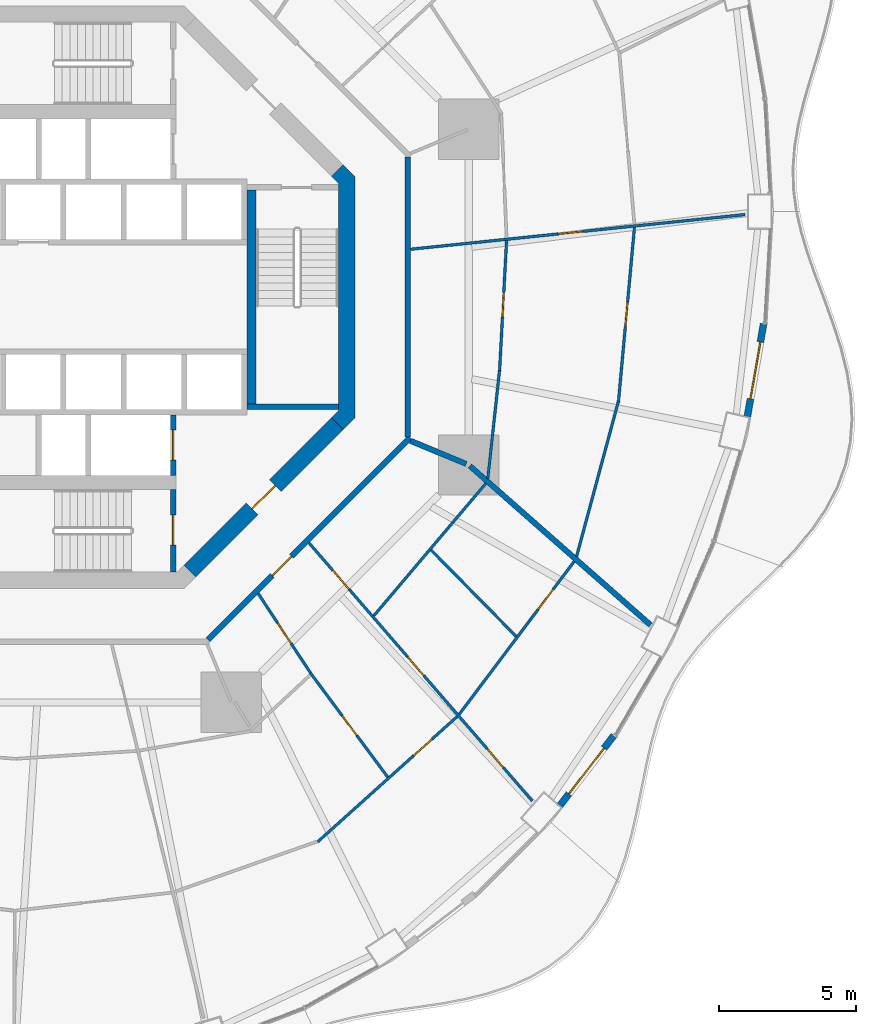
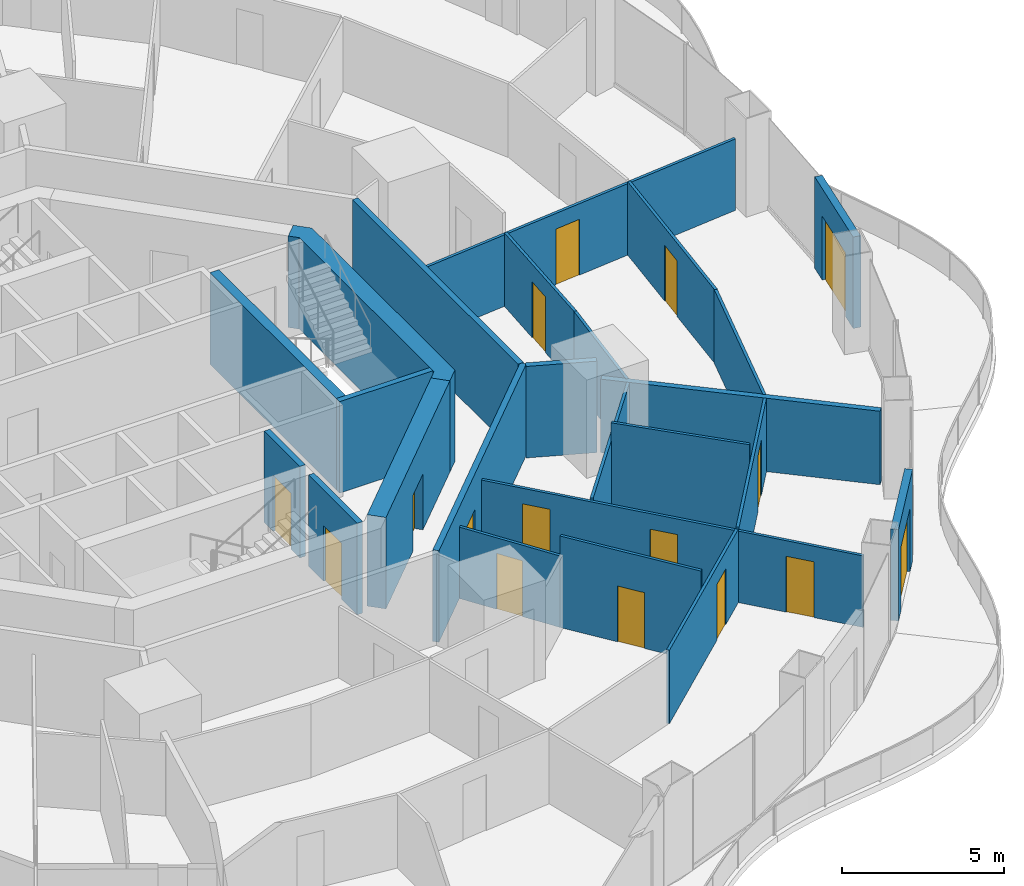
# One storey, part 17 of 24: 24 walls, 16 doors, 16 openings.
"""IFC4 building model written with IfcOpenShell, lengths in metres."""

from ifc_helpers import new_model, si_unit, direction, frame, frame_2d, origin, place, context, subcontext, project, spatial, polyline, rectangle, outline, extrude, material, layer, layer_set, type_object, element, fill, save


model = new_model("IFC4")

# Units and contexts
model_context = context("Model", 3, precision=1e-05, world=origin(), true_north=direction((0.0, 1.0)))
body_context = subcontext(model_context, "Body", "Model", "MODEL_VIEW")
ifc_project = project(units=[si_unit("LENGTHUNIT", "METRE"), si_unit("AREAUNIT", "SQUARE_METRE"), si_unit("VOLUMEUNIT", "CUBIC_METRE"), si_unit("PLANEANGLEUNIT", "RADIAN"), si_unit("MASSUNIT", "GRAM", prefix="KILO")], contexts=[model_context])

# Site, building, storey
site_placement = place(None, origin())
site = spatial("IfcSite", under=ifc_project, at=site_placement, CompositionType="ELEMENT")
building_placement = place(site_placement, origin())
building = spatial("IfcBuilding", under=site, at=building_placement, Name="Nagisa Residences", CompositionType="ELEMENT")
storey_placement = place(building_placement, frame((0.0, 0.0, 102.89990234375)))
storey = spatial("IfcBuildingStorey", under=building, at=storey_placement, Name="L25", CompositionType="ELEMENT", Elevation=102.89990234375)

# Walls
ifc_material_1 = material(Name="Gypsum board on steel studs", Category="steel")
ifc_layer_1 = layer(ifc_material_1, 0.199951171875)
ifc_layer_set_1 = layer_set([ifc_layer_1], Name="Apartment compartment wall EI60 200")
wall_type_1 = type_object("IfcWallType", Name="Apartment compartment wall EI60 200", PredefinedType="PARTITIONING", material=ifc_layer_set_1)
wall_1_placement = place(storey_placement, frame((12.6572265625, -5.24267578125, 0.0), z_axis=(0.0, 0.0, 1.0), x_axis=(0.923876145736, -0.382691608661, 0.0)))
element("IfcWall", 1, at=wall_1_placement, inside=storey, type_object=wall_type_1, Name="wall:L25:u08", PredefinedType="PARTITIONING", context=body_context, shape_type="SweptSolid", body=[
    extrude(rectangle(XDim=2.19970703125, YDim=0.199951171875, at=frame_2d((1.099853515625, 0.0))), origin(), (0.0, 0.0, 1.0), 3.440185546875),
])
wall_2_placement = place(storey_placement, frame((14.819580078125, -6.156005859375, 0.0), z_axis=(0.0, 0.0, 1.0), x_axis=(0.750582231659, -0.660777052808, 0.0)))
element("IfcWall", 2, at=wall_2_placement, inside=storey, type_object=wall_type_1, Name="wall:L25:u09", PredefinedType="PARTITIONING", context=body_context, shape_type="SweptSolid", body=[
    extrude(rectangle(XDim=8.781005859375, YDim=0.199951171875, at=frame_2d((4.390625, 0.0))), origin(), (0.0, 0.0, 1.0), 2.76220703125),
])
ifc_material_2 = material(Name="Gypsum board on steel studs", Category="steel")
ifc_layer_2 = layer(ifc_material_2, 0.199951171875)
ifc_layer_set_2 = layer_set([ifc_layer_2], Name="Apartment entry wall EI60 200")
wall_type_2 = type_object("IfcWallType", Name="Apartment entry wall EI60 200", PredefinedType="PARTITIONING", material=ifc_layer_set_2)
wall_3_placement = place(storey_placement, frame((12.564697265625, -5.1044921875, 0.0), z_axis=(0.0, 0.0, 1.0), x_axis=(0.0, 1.0, 0.0)))
element("IfcWall", 3, at=wall_3_placement, inside=storey, type_object=wall_type_2, Name="wall:L25:u10", PredefinedType="PARTITIONING", context=body_context, shape_type="SweptSolid", body=[
    extrude(rectangle(XDim=10.208984375, YDim=0.199951171875, at=frame_2d((5.1044921875, 0.0))), origin(), (0.0, 0.0, 1.0), 3.440185546875),
])

# Wall, opening, door
wall_4_placement = place(storey_placement, frame((5.275146484375, -12.494140625, 0.0), z_axis=(0.0, 0.0, 1.0), x_axis=(0.707106781187, 0.707106781187, 0.0)))
wall_4 = element("IfcWall", 4, at=wall_4_placement, inside=storey, type_object=wall_type_2, Name="wall:L25:u17", PredefinedType="PARTITIONING", context=body_context, shape_type="SweptSolid", body=[
    extrude(rectangle(XDim=10.4091796875, YDim=0.199951171875, at=frame_2d((5.20458984375, 0.0))), origin(), (0.0, 0.0, 1.0), 3.440185546875),
])
opening_1_placement = place(wall_4_placement, frame((3.303466796875, 0.0, 0.0)))
opening_1 = element("IfcOpeningElement", 5, at=opening_1_placement, cuts=wall_4, Name="Opening L25-U15", PredefinedType="OPENING", context=body_context, shape_type="SweptSolid", body=[
    extrude(rectangle(XDim=1.0, YDim=2.10009765625, at=frame_2d((0.5, 1.050048828125))), frame((0.0, 0.10986328125, 0.0), z_axis=(0.0, -1.0, 0.0), x_axis=(1.0, 0.0, 0.0)), (0.0, 0.0, 1.0), 0.219970703125),
])
ifc_material_3 = material(Name="Timber fire door set", Category="wood")
door_type_1 = type_object("IfcDoorType", Name="Apartment entry door FD30S 1000x2100", OperationType="NOTDEFINED", PredefinedType="DOOR", material=ifc_material_3)
door_1_placement = place(opening_1_placement, frame((1.0, 0.0, 0.0), x_axis=(-1.0, 0.0, 0.0)))
door_1 = element("IfcDoor", 6, at=door_1_placement, inside=storey, type_object=door_type_1, Name="Entry door, Apartment 25B", OperationType="SINGLE_SWING_RIGHT", OverallHeight=2.10009765625, OverallWidth=1.0, PredefinedType="DOOR", context=body_context, shape_type="SweptSolid", body=[
    extrude(rectangle(XDim=1.0, YDim=2.10009765625, at=frame_2d((0.5, 1.050048828125))), frame((0.0, 0.02490234375, 0.0), z_axis=(0.0, -1.0, 0.0), x_axis=(1.0, 0.0, 0.0)), (0.0, 0.0, 1.0), 0.050048828125),
])
fill(opening_1, door_1)

ifc_material_4 = material(Name="Gypsum board on steel studs", Category="steel")
ifc_layer_3 = layer(ifc_material_4, 0.10009765625)
ifc_layer_set_3 = layer_set([ifc_layer_3], Name="Apartment partition 100")
wall_type_3 = type_object("IfcWallType", Name="Apartment partition 100", PredefinedType="PARTITIONING", material=ifc_layer_set_3)
wall_5_placement = place(storey_placement, frame((12.664306640625, 1.7451171875, 0.0), z_axis=(0.0, 0.0, 1.0), x_axis=(0.994662790212, 0.103179134358, 0.0)))
wall_5 = element("IfcWall", 7, at=wall_5_placement, inside=storey, type_object=wall_type_3, Name="wall:L25:u18", PredefinedType="PARTITIONING", context=body_context, shape_type="SweptSolid", body=[
    extrude(rectangle(XDim=12.2568359375, YDim=0.10009765625, at=frame_2d((6.12841796875, 0.0))), origin(), (0.0, 0.0, 1.0), 2.68701171875),
])
opening_2_placement = place(wall_5_placement, frame((5.413818359375, 0.0, 0.0)))
opening_2 = element("IfcOpeningElement", 8, at=opening_2_placement, cuts=wall_5, Name="Opening L25-U37", PredefinedType="OPENING", context=body_context, shape_type="SweptSolid", body=[
    extrude(rectangle(XDim=0.89990234375, YDim=2.10009765625, at=frame_2d((0.449951171875, 1.050048828125))), frame((0.0, 0.06005859375, 0.0), z_axis=(0.0, -1.0, 0.0), x_axis=(1.0, 0.0, 0.0)), (0.0, 0.0, 1.0), 0.1201171875),
])
ifc_material_5 = material(Name="Timber door set", Category="wood")
door_type_2 = type_object("IfcDoorType", Name="Apartment door 900x2100", OperationType="NOTDEFINED", PredefinedType="DOOR", material=ifc_material_5)
door_2_placement = place(opening_2_placement, frame((0.89990234375, 0.0, 0.0), x_axis=(-1.0, 0.0, 0.0)))
door_2 = element("IfcDoor", 9, at=door_2_placement, inside=storey, type_object=door_type_2, Name="Door to kitchen, Apartment 25C", OperationType="SINGLE_SWING_RIGHT", OverallHeight=2.10009765625, OverallWidth=0.89990234375, PredefinedType="DOOR", context=body_context, shape_type="SweptSolid", body=[
    extrude(rectangle(XDim=0.89990234375, YDim=2.10009765625, at=frame_2d((0.449951171875, 1.050048828125))), frame((0.0, 0.02490234375, 0.0), z_axis=(0.0, -1.0, 0.0), x_axis=(1.0, 0.0, 0.0)), (0.0, 0.0, 1.0), 0.050048828125),
])
fill(opening_2, door_2)

wall_6_placement = place(storey_placement, frame((16.1611328125, 2.058349609375, 0.0), z_axis=(0.0, 0.0, 1.0), x_axis=(-0.053696394729, -0.998557307916, 0.0)))
wall_6 = element("IfcWall", 10, at=wall_6_placement, inside=storey, type_object=wall_type_3, Name="wall:L25:u20", PredefinedType="PARTITIONING", context=body_context, shape_type="SweptSolid", body=[
    extrude(rectangle(XDim=4.7421875, YDim=0.10009765625, at=frame_2d((2.37109375, 0.0))), origin(), (0.0, 0.0, 1.0), 2.76220703125),
])
opening_3_placement = place(wall_6_placement, frame((1.89599609375, 0.0, 0.0)))
opening_3 = element("IfcOpeningElement", 11, at=opening_3_placement, cuts=wall_6, Name="Opening L25-U40", PredefinedType="OPENING", context=body_context, shape_type="SweptSolid", body=[
    extrude(rectangle(XDim=0.89990234375, YDim=2.10009765625, at=frame_2d((0.449951171875, 1.050048828125))), frame((0.0, 0.06005859375, 0.0), z_axis=(0.0, -1.0, 0.0), x_axis=(1.0, 0.0, 0.0)), (0.0, 0.0, 1.0), 0.1201171875),
])
door_3_placement = place(opening_3_placement, frame((0.89990234375, 0.0, 0.0), x_axis=(-1.0, 0.0, 0.0)))
door_3 = element("IfcDoor", 12, at=door_3_placement, inside=storey, type_object=door_type_2, Name="Door to laundry, Apartment 25C", OperationType="SINGLE_SWING_LEFT", OverallHeight=2.10009765625, OverallWidth=0.89990234375, PredefinedType="DOOR", context=body_context, shape_type="SweptSolid", body=[
    extrude(rectangle(XDim=0.89990234375, YDim=2.10009765625, at=frame_2d((0.449951171875, 1.050048828125))), frame((0.0, 0.02490234375, 0.0), z_axis=(0.0, -1.0, 0.0), x_axis=(1.0, 0.0, 0.0)), (0.0, 0.0, 1.0), 0.050048828125),
])
fill(opening_3, door_3)

wall_7_placement = place(storey_placement, frame((20.824951171875, 2.54248046875, 0.0), z_axis=(0.0, 0.0, 1.0), x_axis=(-0.09140211812, -0.995814065377, 0.0)))
wall_7 = element("IfcWall", 13, at=wall_7_placement, inside=storey, type_object=wall_type_3, Name="wall:L25:u22", PredefinedType="PARTITIONING", context=body_context, shape_type="SweptSolid", body=[
    extrude(rectangle(XDim=6.402587890625, YDim=0.10009765625, at=frame_2d((3.201171875, 0.0))), origin(), (0.0, 0.0, 1.0), 2.76220703125),
])
opening_4_placement = place(wall_7_placement, frame((2.726318359375, 0.0, 0.0)))
opening_4 = element("IfcOpeningElement", 14, at=opening_4_placement, cuts=wall_7, Name="Opening L25-U39", PredefinedType="OPENING", context=body_context, shape_type="SweptSolid", body=[
    extrude(rectangle(XDim=0.89990234375, YDim=2.10009765625, at=frame_2d((0.449951171875, 1.050048828125))), frame((0.0, 0.06005859375, 0.0), z_axis=(0.0, -1.0, 0.0), x_axis=(1.0, 0.0, 0.0)), (0.0, 0.0, 1.0), 0.1201171875),
])
door_4_placement = place(opening_4_placement, origin())
door_4 = element("IfcDoor", 15, at=door_4_placement, inside=storey, type_object=door_type_2, Name="Door to living room, Apartment 25C", OperationType="SINGLE_SWING_LEFT", OverallHeight=2.10009765625, OverallWidth=0.89990234375, PredefinedType="DOOR", context=body_context, shape_type="SweptSolid", body=[
    extrude(rectangle(XDim=0.89990234375, YDim=2.10009765625, at=frame_2d((0.449951171875, 1.050048828125))), frame((0.0, 0.02490234375, 0.0), z_axis=(0.0, -1.0, 0.0), x_axis=(1.0, 0.0, 0.0)), (0.0, 0.0, 1.0), 0.050048828125),
])
fill(opening_4, door_4)

wall_8_placement = place(storey_placement, frame((9.2724609375, -19.86767578125, 0.0), z_axis=(0.0, 0.0, 1.0), x_axis=(0.743884413566, 0.668308296562, 0.0)))
wall_8 = element("IfcWall", 16, at=wall_8_placement, inside=storey, type_object=wall_type_3, Name="wall:L25:u82", PredefinedType="PARTITIONING", context=body_context, shape_type="SweptSolid", body=[
    extrude(rectangle(XDim=6.84521484375, YDim=0.10009765625, at=frame_2d((3.422607421875, 0.0))), origin(), (0.0, 0.0, 1.0), 2.76220703125),
])
opening_5_placement = place(wall_8_placement, frame((4.708984375, 0.0, 0.0)))
opening_5 = element("IfcOpeningElement", 17, at=opening_5_placement, cuts=wall_8, Name="Opening L25-U20", PredefinedType="OPENING", context=body_context, shape_type="SweptSolid", body=[
    extrude(rectangle(XDim=0.89990234375, YDim=2.10009765625, at=frame_2d((0.449951171875, 1.050048828125))), frame((0.0, 0.06005859375, 0.0), z_axis=(0.0, -1.0, 0.0), x_axis=(1.0, 0.0, 0.0)), (0.0, 0.0, 1.0), 0.1201171875),
])
door_5_placement = place(opening_5_placement, frame((0.89990234375, 0.0, 0.0), x_axis=(-1.0, 0.0, 0.0)))
door_5 = element("IfcDoor", 18, at=door_5_placement, inside=storey, type_object=door_type_2, Name="Door to living room, Apartment 25B", OperationType="SINGLE_SWING_LEFT", OverallHeight=2.10009765625, OverallWidth=0.89990234375, PredefinedType="DOOR", context=body_context, shape_type="SweptSolid", body=[
    extrude(rectangle(XDim=0.89990234375, YDim=2.10009765625, at=frame_2d((0.449951171875, 1.050048828125))), frame((0.0, 0.02490234375, 0.0), z_axis=(0.0, -1.0, 0.0), x_axis=(1.0, 0.0, 0.0)), (0.0, 0.0, 1.0), 0.050048828125),
])
fill(opening_5, door_5)

wall_9_placement = place(storey_placement, frame((7.099609375, -10.80810546875, 0.0), z_axis=(0.0, 0.0, 1.0), x_axis=(0.550294419528, -0.834970689208, 0.0)))
wall_9 = element("IfcWall", 19, at=wall_9_placement, inside=storey, type_object=wall_type_3, Name="wall:L25:u83", PredefinedType="PARTITIONING", context=body_context, shape_type="SweptSolid", body=[
    extrude(rectangle(XDim=3.4716796875, YDim=0.10009765625, at=frame_2d((1.73583984375, 0.0))), origin(), (0.0, 0.0, 1.0), 2.68701171875),
])
opening_6_placement = place(wall_9_placement, frame((1.285888671875, 0.0, 0.0)))
opening_6 = element("IfcOpeningElement", 20, at=opening_6_placement, cuts=wall_9, Name="Opening L25-U16", PredefinedType="OPENING", context=body_context, shape_type="SweptSolid", body=[
    extrude(rectangle(XDim=0.89990234375, YDim=2.10009765625, at=frame_2d((0.449951171875, 1.050048828125))), frame((0.0, 0.06005859375, 0.0), z_axis=(0.0, -1.0, 0.0), x_axis=(1.0, 0.0, 0.0)), (0.0, 0.0, 1.0), 0.1201171875),
])
door_6_placement = place(opening_6_placement, frame((0.89990234375, 0.0, 0.0), x_axis=(-1.0, 0.0, 0.0)))
door_6 = element("IfcDoor", 21, at=door_6_placement, inside=storey, type_object=door_type_2, Name="Door to family bathroom, Apartment 25B", OperationType="SINGLE_SWING_LEFT", OverallHeight=2.10009765625, OverallWidth=0.89990234375, PredefinedType="DOOR", context=body_context, shape_type="SweptSolid", body=[
    extrude(rectangle(XDim=0.89990234375, YDim=2.10009765625, at=frame_2d((0.449951171875, 1.050048828125))), frame((0.0, 0.02490234375, 0.0), z_axis=(0.0, -1.0, 0.0), x_axis=(1.0, 0.0, 0.0)), (0.0, 0.0, 1.0), 0.050048828125),
])
fill(opening_6, door_6)

wall_10_placement = place(storey_placement, frame((9.0078125, -13.70849609375, 0.0), z_axis=(0.0, 0.0, 1.0), x_axis=(0.595845850207, -0.803098825047, 0.0)))
wall_10 = element("IfcWall", 22, at=wall_10_placement, inside=storey, type_object=wall_type_3, Name="wall:L25:u84", PredefinedType="PARTITIONING", context=body_context, shape_type="SweptSolid", body=[
    extrude(rectangle(XDim=4.7294921875, YDim=0.10009765625, at=frame_2d((2.36474609375, 0.0))), origin(), (0.0, 0.0, 1.0), 3.440185546875),
])
opening_7_placement = place(wall_10_placement, frame((1.939697265625, 0.0, 0.0)))
opening_7 = element("IfcOpeningElement", 23, at=opening_7_placement, cuts=wall_10, Name="Opening L25-U18", PredefinedType="OPENING", context=body_context, shape_type="SweptSolid", body=[
    extrude(rectangle(XDim=0.89990234375, YDim=2.10009765625, at=frame_2d((0.449951171875, 1.050048828125))), frame((0.0, 0.06005859375, 0.0), z_axis=(0.0, -1.0, 0.0), x_axis=(1.0, 0.0, 0.0)), (0.0, 0.0, 1.0), 0.1201171875),
])
door_7_placement = place(opening_7_placement, frame((0.89990234375, 0.0, 0.0), x_axis=(-1.0, 0.0, 0.0)))
door_7 = element("IfcDoor", 24, at=door_7_placement, inside=storey, type_object=door_type_2, Name="Door to kitchen, Apartment 25B", OperationType="SINGLE_SWING_LEFT", OverallHeight=2.10009765625, OverallWidth=0.89990234375, PredefinedType="DOOR", context=body_context, shape_type="SweptSolid", body=[
    extrude(rectangle(XDim=0.89990234375, YDim=2.10009765625, at=frame_2d((0.449951171875, 1.050048828125))), frame((0.0, 0.02490234375, 0.0), z_axis=(0.0, -1.0, 0.0), x_axis=(1.0, 0.0, 0.0)), (0.0, 0.0, 1.0), 0.050048828125),
])
fill(opening_7, door_7)

# Wall, openings, doors
wall_11_placement = place(storey_placement, frame((8.949951171875, -8.960205078125, 0.0), z_axis=(0.0, 0.0, 1.0), x_axis=(0.65441081073, -0.756139200676, 0.0)))
wall_11 = element("IfcWall", 25, at=wall_11_placement, inside=storey, type_object=wall_type_3, Name="wall:L25:u85", PredefinedType="PARTITIONING", context=body_context, shape_type="SweptSolid", body=[
    extrude(rectangle(XDim=12.450927734375, YDim=0.10009765625, at=frame_2d((6.2255859375, 0.0))), origin(), (0.0, 0.0, 1.0), 2.68701171875),
])
opening_8_placement = place(wall_11_placement, frame((1.335693359375, 0.0, 0.0)))
opening_8 = element("IfcOpeningElement", 26, at=opening_8_placement, cuts=wall_11, Name="Opening L25-U17", PredefinedType="OPENING", context=body_context, shape_type="SweptSolid", body=[
    extrude(rectangle(XDim=0.89990234375, YDim=2.10009765625, at=frame_2d((0.449951171875, 1.050048828125))), frame((0.0, 0.06005859375, 0.0), z_axis=(0.0, -1.0, 0.0), x_axis=(1.0, 0.0, 0.0)), (0.0, 0.0, 1.0), 0.1201171875),
])
opening_9_placement = place(wall_11_placement, frame((5.501220703125, 0.0, 0.0)))
opening_9 = element("IfcOpeningElement", 27, at=opening_9_placement, cuts=wall_11, Name="Opening L25-U19", PredefinedType="OPENING", context=body_context, shape_type="SweptSolid", body=[
    extrude(rectangle(XDim=0.89990234375, YDim=2.10009765625, at=frame_2d((0.449951171875, 1.050048828125))), frame((0.0, 0.06005859375, 0.0), z_axis=(0.0, -1.0, 0.0), x_axis=(1.0, 0.0, 0.0)), (0.0, 0.0, 1.0), 0.1201171875),
])
opening_10_placement = place(wall_11_placement, frame((9.940673828125, 0.0, 0.0)))
opening_10 = element("IfcOpeningElement", 28, at=opening_10_placement, cuts=wall_11, Name="Opening L25-U21", PredefinedType="OPENING", context=body_context, shape_type="SweptSolid", body=[
    extrude(rectangle(XDim=0.89990234375, YDim=2.10009765625, at=frame_2d((0.449951171875, 1.050048828125))), frame((0.0, 0.06005859375, 0.0), z_axis=(0.0, -1.0, 0.0), x_axis=(1.0, 0.0, 0.0)), (0.0, 0.0, 1.0), 0.1201171875),
])
door_8_placement = place(opening_8_placement, origin())
door_8 = element("IfcDoor", 29, at=door_8_placement, inside=storey, type_object=door_type_2, Name="Door to family bathroom, Apartment 25B", OperationType="SINGLE_SWING_LEFT", OverallHeight=2.10009765625, OverallWidth=0.89990234375, PredefinedType="DOOR", context=body_context, shape_type="SweptSolid", body=[
    extrude(rectangle(XDim=0.89990234375, YDim=2.10009765625, at=frame_2d((0.449951171875, 1.050048828125))), frame((0.0, 0.02490234375, 0.0), z_axis=(0.0, -1.0, 0.0), x_axis=(1.0, 0.0, 0.0)), (0.0, 0.0, 1.0), 0.050048828125),
])
fill(opening_8, door_8)
door_9_placement = place(opening_9_placement, origin())
door_9 = element("IfcDoor", 30, at=door_9_placement, inside=storey, type_object=door_type_2, Name="Door to family bathroom, Apartment 25B", OperationType="SINGLE_SWING_LEFT", OverallHeight=2.10009765625, OverallWidth=0.89990234375, PredefinedType="DOOR", context=body_context, shape_type="SweptSolid", body=[
    extrude(rectangle(XDim=0.89990234375, YDim=2.10009765625, at=frame_2d((0.449951171875, 1.050048828125))), frame((0.0, 0.02490234375, 0.0), z_axis=(0.0, -1.0, 0.0), x_axis=(1.0, 0.0, 0.0)), (0.0, 0.0, 1.0), 0.050048828125),
])
fill(opening_9, door_9)
door_10_placement = place(opening_10_placement, origin())
door_10 = element("IfcDoor", 31, at=door_10_placement, inside=storey, type_object=door_type_2, Name="Door to bedroom, Apartment 25B", OperationType="SINGLE_SWING_LEFT", OverallHeight=2.10009765625, OverallWidth=0.89990234375, PredefinedType="DOOR", context=body_context, shape_type="SweptSolid", body=[
    extrude(rectangle(XDim=0.89990234375, YDim=2.10009765625, at=frame_2d((0.449951171875, 1.050048828125))), frame((0.0, 0.02490234375, 0.0), z_axis=(0.0, -1.0, 0.0), x_axis=(1.0, 0.0, 0.0)), (0.0, 0.0, 1.0), 0.050048828125),
])
fill(opening_10, door_10)

# Wall
wall_12_placement = place(storey_placement, frame((11.319580078125, -11.62255859375, 0.0), z_axis=(0.0, 0.0, 1.0), x_axis=(0.646106810963, 0.763247003811, 0.0)))
element("IfcWall", 32, at=wall_12_placement, inside=storey, type_object=wall_type_3, Name="wall:L25:u86", PredefinedType="PARTITIONING", context=body_context, shape_type="SweptSolid", body=[
    extrude(rectangle(XDim=6.317138671875, YDim=0.10009765625, at=frame_2d((3.15869140625, 0.0))), origin(), (0.0, 0.0, 1.0), 2.76220703125),
])

# Wall, opening, door
wall_13_placement = place(storey_placement, frame((14.431884765625, -15.219482421875, 0.0), z_axis=(0.0, 0.0, 1.0), x_axis=(0.601001256685, 0.799248077548, 0.0)))
wall_13 = element("IfcWall", 33, at=wall_13_placement, inside=storey, type_object=wall_type_3, Name="wall:L25:u87", PredefinedType="PARTITIONING", context=body_context, shape_type="SweptSolid", body=[
    extrude(rectangle(XDim=6.980224609375, YDim=0.10009765625, at=frame_2d((3.490234375, 0.0))), origin(), (0.0, 0.0, 1.0), 2.76220703125),
])
opening_11_placement = place(wall_13_placement, frame((4.797607421875, 0.0, 0.0)))
opening_11 = element("IfcOpeningElement", 34, at=opening_11_placement, cuts=wall_13, Name="Opening L25-U24", PredefinedType="OPENING", context=body_context, shape_type="SweptSolid", body=[
    extrude(rectangle(XDim=0.89990234375, YDim=2.10009765625, at=frame_2d((0.449951171875, 1.050048828125))), frame((0.0, 0.06005859375, 0.0), z_axis=(0.0, -1.0, 0.0), x_axis=(1.0, 0.0, 0.0)), (0.0, 0.0, 1.0), 0.1201171875),
])
door_11_placement = place(opening_11_placement, origin())
door_11 = element("IfcDoor", 35, at=door_11_placement, inside=storey, type_object=door_type_2, Name="Door to en-suite bathroom, Apartment 25B", OperationType="SINGLE_SWING_RIGHT", OverallHeight=2.10009765625, OverallWidth=0.89990234375, PredefinedType="DOOR", context=body_context, shape_type="SweptSolid", body=[
    extrude(rectangle(XDim=0.89990234375, YDim=2.10009765625, at=frame_2d((0.449951171875, 1.050048828125))), frame((0.0, 0.02490234375, 0.0), z_axis=(0.0, -1.0, 0.0), x_axis=(1.0, 0.0, 0.0)), (0.0, 0.0, 1.0), 0.050048828125),
])
fill(opening_11, door_11)

# Walls
wall_14_placement = place(storey_placement, frame((13.41162109375, -9.228515625, 0.0), z_axis=(0.0, 0.0, 1.0), x_axis=(0.701611164285, -0.712560014421, 0.0)))
element("IfcWall", 36, at=wall_14_placement, inside=storey, type_object=wall_type_3, Name="wall:L25:u88", PredefinedType="PARTITIONING", context=body_context, shape_type="SweptSolid", body=[
    extrude(rectangle(XDim=4.4150390625, YDim=0.10009765625, at=frame_2d((2.20751953125, 0.0))), origin(), (0.0, 0.0, 1.0), 3.440185546875),
])
wall_15_placement = place(storey_placement, frame((15.4765625, -6.62548828125, 0.0), z_axis=(0.0, 0.0, 1.0), x_axis=(0.107570517496, 0.994197457131, 0.0)))
element("IfcWall", 37, at=wall_15_placement, inside=storey, type_object=wall_type_3, Name="wall:L25:u89", PredefinedType="PARTITIONING", context=body_context, shape_type="SweptSolid", body=[
    extrude(rectangle(XDim=3.9716796875, YDim=0.10009765625, at=frame_2d((1.98583984375, 0.0))), origin(), (0.0, 0.0, 1.0), 2.76220703125),
])
wall_16_placement = place(storey_placement, frame((18.713134765625, -9.464111328125, 0.0), z_axis=(0.0, 0.0, 1.0), x_axis=(0.260279646259, 0.965533275316, 0.0)))
element("IfcWall", 38, at=wall_16_placement, inside=storey, type_object=wall_type_3, Name="wall:L25:u90", PredefinedType="PARTITIONING", context=body_context, shape_type="SweptSolid", body=[
    extrude(rectangle(XDim=5.83349609375, YDim=0.10009765625, at=frame_2d((2.916748046875, 0.0))), origin(), (0.0, 0.0, 1.0), 2.76220703125),
])

# Wall, opening, door
ifc_material_6 = material(Name="Precast concrete C40/50", Category="concrete")
ifc_layer_4 = layer(ifc_material_6, 0.25)
ifc_layer_set_4 = layer_set([ifc_layer_4], Name="BALCONY DOOR WALL 250")
wall_type_4 = type_object("IfcWallType", Name="BALCONY DOOR WALL 250", PredefinedType="SOLIDWALL", material=ifc_layer_set_4)
wall_17_placement = place(storey_placement, frame((20.072998046875, -15.9912109375, 0.0), z_axis=(0.0, 0.0, 1.0), x_axis=(-0.610458970322, -0.792047880847, 0.0)))
wall_17 = element("IfcWall", 39, at=wall_17_placement, inside=storey, type_object=wall_type_4, Name="wall:L25:bay42", PredefinedType="SOLIDWALL", context=body_context, shape_type="SweptSolid", body=[
    extrude(rectangle(XDim=3.262939453125, YDim=0.25, at=frame_2d((1.63134765625, 0.0))), origin(), (0.0, 0.0, 1.0), 3.440185546875),
])
opening_12_placement = place(wall_17_placement, frame((0.58154296875, 0.0, 0.0)))
opening_12 = element("IfcOpeningElement", 40, at=opening_12_placement, cuts=wall_17, Name="Opening BD-L25-15", PredefinedType="OPENING", context=body_context, shape_type="SweptSolid", body=[
    extrude(rectangle(XDim=2.10009765625, YDim=2.39990234375, at=frame_2d((1.050048828125, 1.199951171875))), frame((0.0, 0.135009765625, 0.0), z_axis=(0.0, -1.0, 0.0), x_axis=(1.0, 0.0, 0.0)), (0.0, 0.0, 1.0), 0.27001953125),
])
ifc_material_7 = material(Name="Aluminium and clear glass", Category="aluminium")
door_type_3 = type_object("IfcDoorType", Name="BALCONY SLIDING DOOR 2100x2400", OperationType="SLIDING_TO_LEFT", PredefinedType="DOOR", material=ifc_material_7)
door_12_placement = place(opening_12_placement, origin())
door_12 = element("IfcDoor", 41, at=door_12_placement, inside=storey, type_object=door_type_3, Name="door:L25:bay42", OperationType="SLIDING_TO_LEFT", OverallHeight=2.39990234375, OverallWidth=2.10009765625, PredefinedType="DOOR", context=body_context, shape_type="SweptSolid", body=[
    extrude(rectangle(XDim=2.10009765625, YDim=2.39990234375, at=frame_2d((1.050048828125, 1.199951171875))), frame((0.0, 0.02490234375, 0.0), z_axis=(0.0, -1.0, 0.0), x_axis=(1.0, 0.0, 0.0)), (0.0, 0.0, 1.0), 0.050048828125),
])
fill(opening_12, door_12)

wall_18_placement = place(storey_placement, frame((25.534912109375, -0.974365234375, 0.0), z_axis=(0.0, 0.0, 1.0), x_axis=(-0.172164316671, -0.985068245385, 0.0)))
wall_18 = element("IfcWall", 42, at=wall_18_placement, inside=storey, type_object=wall_type_4, Name="wall:L25:bay46", PredefinedType="SOLIDWALL", context=body_context, shape_type="SweptSolid", body=[
    extrude(rectangle(XDim=3.454345703125, YDim=0.25, at=frame_2d((1.72705078125, 0.0))), origin(), (0.0, 0.0, 1.0), 3.440185546875),
])
opening_13_placement = place(wall_18_placement, frame((0.67724609375, 0.0, 0.0)))
opening_13 = element("IfcOpeningElement", 43, at=opening_13_placement, cuts=wall_18, Name="Opening BD-L25-16", PredefinedType="OPENING", context=body_context, shape_type="SweptSolid", body=[
    extrude(rectangle(XDim=2.10009765625, YDim=2.39990234375, at=frame_2d((1.050048828125, 1.199951171875))), frame((0.0, 0.135009765625, 0.0), z_axis=(0.0, -1.0, 0.0), x_axis=(1.0, 0.0, 0.0)), (0.0, 0.0, 1.0), 0.27001953125),
])
door_13_placement = place(opening_13_placement, origin())
door_13 = element("IfcDoor", 44, at=door_13_placement, inside=storey, type_object=door_type_3, Name="door:L25:bay46", OperationType="SLIDING_TO_LEFT", OverallHeight=2.39990234375, OverallWidth=2.10009765625, PredefinedType="DOOR", context=body_context, shape_type="SweptSolid", body=[
    extrude(rectangle(XDim=2.10009765625, YDim=2.39990234375, at=frame_2d((1.050048828125, 1.199951171875))), frame((0.0, 0.02490234375, 0.0), z_axis=(0.0, -1.0, 0.0), x_axis=(1.0, 0.0, 0.0)), (0.0, 0.0, 1.0), 0.050048828125),
])
fill(opening_13, door_13)

ifc_material_8 = material(Name="Concrete C60", Category="concrete")
ifc_layer_5 = layer(ifc_material_8, 0.60009765625)
ifc_layer_set_5 = layer_set([ifc_layer_5], Name="Core shear wall 600")
wall_type_5 = type_object("IfcWallType", Name="Core shear wall 600", PredefinedType="SHEAR", material=ifc_layer_set_5)
wall_19_placement = place(storey_placement, frame((4.613037109375, -9.98828125, 0.0), z_axis=(0.0, 0.0, 1.0), x_axis=(0.707106781187, 0.707106781187, 0.0)))
wall_19 = element("IfcWall", 45, at=wall_19_placement, inside=storey, type_object=wall_type_5, Name="wall:L25:core:flat7", PredefinedType="SHEAR", context=body_context, shape_type="SweptSolid", body=[
    extrude(rectangle(XDim=7.601806640625, YDim=0.60009765625, at=frame_2d((3.80078125, 0.0))), origin(), (0.0, 0.0, 1.0), 3.440185546875),
])
opening_14_placement = place(wall_19_placement, frame((3.200927734375, 0.0, 0.0)))
opening_14 = element("IfcOpeningElement", 46, at=opening_14_placement, cuts=wall_19, Name="Opening L25-C18", PredefinedType="OPENING", context=body_context, shape_type="SweptSolid", body=[
    extrude(rectangle(XDim=1.199951171875, YDim=2.10009765625, at=frame_2d((0.60009765625, 1.050048828125))), frame((0.0, 0.31005859375, 0.0), z_axis=(0.0, -1.0, 0.0), x_axis=(1.0, 0.0, 0.0)), (0.0, 0.0, 1.0), 0.6201171875),
])
ifc_material_9 = material(Name="Steel fire door", Category="steel")
door_type_4 = type_object("IfcDoorType", Name="Fire door EI60 1200x2100 single swing", OperationType="NOTDEFINED", PredefinedType="DOOR", material=ifc_material_9)
door_14_placement = place(opening_14_placement, origin())
door_14 = element("IfcDoor", 47, at=door_14_placement, inside=storey, type_object=door_type_4, Name="Firefighting lobby 2 door L25", OperationType="SINGLE_SWING_LEFT", OverallHeight=2.10009765625, OverallWidth=1.199951171875, PredefinedType="DOOR", context=body_context, shape_type="SweptSolid", body=[
    extrude(rectangle(XDim=1.199951171875, YDim=2.10009765625, at=frame_2d((0.60009765625, 1.050048828125))), frame((0.0, 0.02490234375, 0.0), z_axis=(0.0, -1.0, 0.0), x_axis=(1.0, 0.0, 0.0)), (0.0, 0.0, 1.0), 0.050048828125),
])
fill(opening_14, door_14)

# Wall
wall_20_placement = place(storey_placement, origin())
element("IfcWall", 48, at=wall_20_placement, inside=storey, type_object=wall_type_5, Name="wall:L25:core:flat0", PredefinedType="SHEAR", context=body_context, shape_type="SweptSolid", body=[
    extrude(outline(polyline([(9.776123046875, -4.40087890625), (10.024658203125, -4.15234375), (10.024658203125, -3.801025390625), (10.024658203125, 4.15234375), (9.776123046875, 4.40087890625), (10.200439453125, 4.8251953125), (10.62451171875, 4.40087890625), (10.62451171875, -4.40087890625), (10.200439453125, -4.8251953125), (9.776123046875, -4.40087890625)])), origin(), (0.0, 0.0, 1.0), 3.440185546875),
])

# Wall, opening, door
ifc_material_10 = material(Name="Concrete C60", Category="concrete")
ifc_layer_6 = layer(ifc_material_10, 0.199951171875)
ifc_layer_set_6 = layer_set([ifc_layer_6], Name="Lift shaft wall 200")
wall_type_6 = type_object("IfcWallType", Name="Lift shaft wall 200", PredefinedType="SOLIDWALL", material=ifc_layer_set_6)
wall_21_placement = place(storey_placement, frame((4.0, -6.5, 0.0), z_axis=(0.0, 0.0, 1.0), x_axis=(0.0, 1.0, 0.0)))
wall_21 = element("IfcWall", 49, at=wall_21_placement, inside=storey, type_object=wall_type_6, Name="wall:L25:Sb3", PredefinedType="SOLIDWALL", context=body_context, shape_type="SweptSolid", body=[
    extrude(rectangle(XDim=2.199951171875, YDim=0.199951171875, at=frame_2d((1.10009765625, 0.0))), origin(), (0.0, 0.0, 1.0), 3.440185546875),
])
opening_15_placement = place(wall_21_placement, frame((0.550048828125, 0.0, 0.0)))
opening_15 = element("IfcOpeningElement", 50, at=opening_15_placement, cuts=wall_21, Name="Opening L25-C07", PredefinedType="OPENING", context=body_context, shape_type="SweptSolid", body=[
    extrude(rectangle(XDim=1.10009765625, YDim=2.10009765625, at=frame_2d((0.550048828125, 1.050048828125))), frame((0.0, 0.10986328125, 0.0), z_axis=(0.0, -1.0, 0.0), x_axis=(1.0, 0.0, 0.0)), (0.0, 0.0, 1.0), 0.219970703125),
])
ifc_material_11 = material(Name="Stainless steel", Category="steel")
door_type_5 = type_object("IfcDoorType", Name="Lift landing door 1100x2100", OperationType="DOUBLE_DOOR_SLIDING", PredefinedType="DOOR", material=ifc_material_11)
door_15_placement = place(opening_15_placement, origin())
door_15 = element("IfcDoor", 51, at=door_15_placement, inside=storey, type_object=door_type_5, Name="Landing door FL2 L25", OperationType="DOUBLE_DOOR_SLIDING", OverallHeight=2.10009765625, OverallWidth=1.10009765625, PredefinedType="DOOR", context=body_context, shape_type="SweptSolid", body=[
    extrude(rectangle(XDim=1.10009765625, YDim=2.10009765625, at=frame_2d((0.550048828125, 1.050048828125))), frame((0.0, 0.02490234375, 0.0), z_axis=(0.0, -1.0, 0.0), x_axis=(1.0, 0.0, 0.0)), (0.0, 0.0, 1.0), 0.050048828125),
])
fill(opening_15, door_15)

ifc_material_12 = material(Name="Concrete C60", Category="concrete")
ifc_layer_7 = layer(ifc_material_12, 0.199951171875)
ifc_layer_set_7 = layer_set([ifc_layer_7], Name="Stair enclosure wall 200")
wall_type_7 = type_object("IfcWallType", Name="Stair enclosure wall 200", PredefinedType="SOLIDWALL", material=ifc_layer_set_7)
wall_22_placement = place(storey_placement, frame((4.0, -10.024658203125, 0.0), z_axis=(0.0, 0.0, 1.0), x_axis=(0.0, 1.0, 0.0)))
wall_22 = element("IfcWall", 52, at=wall_22_placement, inside=storey, type_object=wall_type_7, Name="wall:L25:SS_e", PredefinedType="SOLIDWALL", context=body_context, shape_type="SweptSolid", body=[
    extrude(rectangle(XDim=3.0, YDim=0.199951171875, at=frame_2d((1.5, 0.0))), origin(), (0.0, 0.0, 1.0), 3.440185546875),
])
opening_16_placement = place(wall_22_placement, frame((0.974609375, 0.0, 0.0)))
opening_16 = element("IfcOpeningElement", 53, at=opening_16_placement, cuts=wall_22, Name="Opening L25-C11", PredefinedType="OPENING", context=body_context, shape_type="SweptSolid", body=[
    extrude(rectangle(XDim=1.10009765625, YDim=2.10009765625, at=frame_2d((0.550048828125, 1.050048828125))), frame((0.0, 0.10986328125, 0.0), z_axis=(0.0, -1.0, 0.0), x_axis=(1.0, 0.0, 0.0)), (0.0, 0.0, 1.0), 0.219970703125),
])
ifc_material_13 = material(Name="Steel fire door", Category="steel")
door_type_6 = type_object("IfcDoorType", Name="Fire door EI90 1100x2100 single swing", OperationType="NOTDEFINED", PredefinedType="DOOR", material=ifc_material_13)
door_16_placement = place(opening_16_placement, origin())
door_16 = element("IfcDoor", 54, at=door_16_placement, inside=storey, type_object=door_type_6, Name="Stair door ST-S L25", OperationType="SINGLE_SWING_RIGHT", OverallHeight=2.10009765625, OverallWidth=1.10009765625, PredefinedType="DOOR", context=body_context, shape_type="SweptSolid", body=[
    extrude(rectangle(XDim=1.10009765625, YDim=2.10009765625, at=frame_2d((0.550048828125, 1.050048828125))), frame((0.0, 0.02490234375, 0.0), z_axis=(0.0, -1.0, 0.0), x_axis=(1.0, 0.0, 0.0)), (0.0, 0.0, 1.0), 0.050048828125),
])
fill(opening_16, door_16)

# Walls
wall_23_placement = place(storey_placement, origin())
element("IfcWall", 55, at=wall_23_placement, inside=storey, type_object=wall_type_7, Name="wall:L25:SE_w", PredefinedType="SOLIDWALL", context=body_context, shape_type="SweptSolid", body=[
    extrude(outline(polyline([(7.024658203125, -3.89990234375), (6.699951171875, -3.89990234375), (6.699951171875, 3.89990234375), (7.024658203125, 3.89990234375), (7.024658203125, -3.89990234375)])), origin(), (0.0, 0.0, 1.0), 3.440185546875),
])
wall_24_placement = place(storey_placement, origin())
element("IfcWall", 56, at=wall_24_placement, inside=storey, type_object=wall_type_7, Name="wall:L25:SE_s", PredefinedType="SOLIDWALL", context=body_context, shape_type="SweptSolid", body=[
    extrude(outline(polyline([(10.024658203125, -4.10009765625), (6.699951171875, -4.10009765625), (6.699951171875, -3.89990234375), (10.024658203125, -3.89990234375), (10.024658203125, -4.10009765625)])), origin(), (0.0, 0.0, 1.0), 3.440185546875),
])

save(model, "model.ifc")
